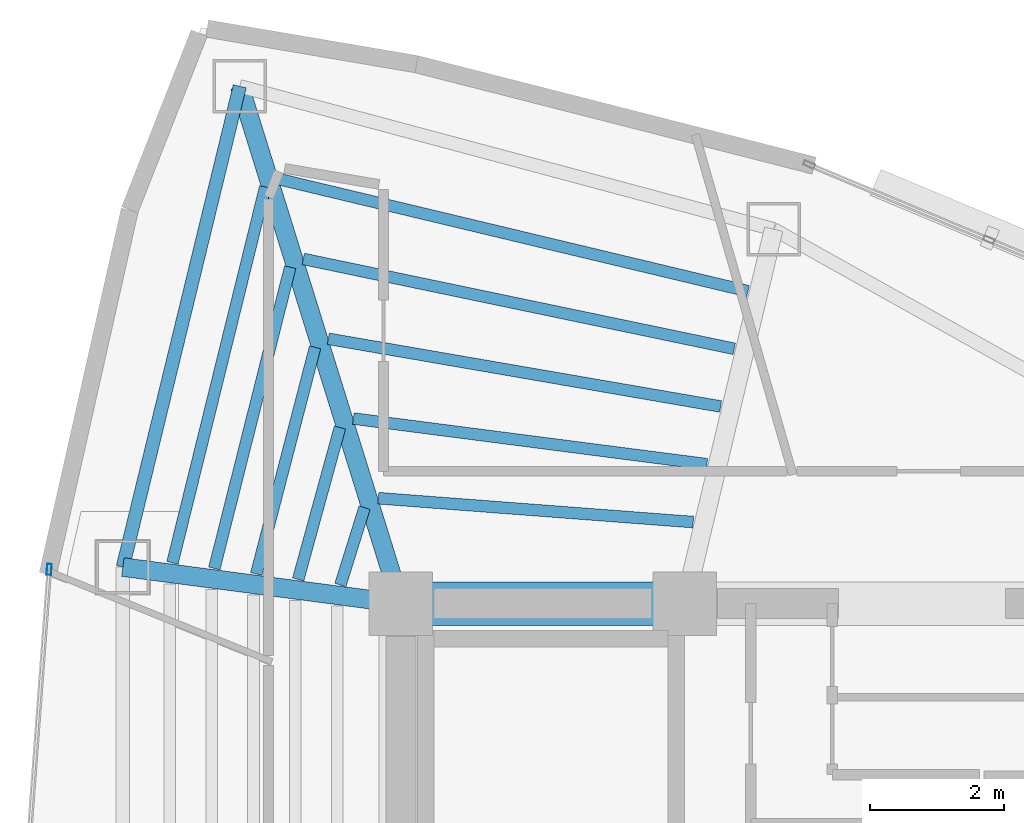
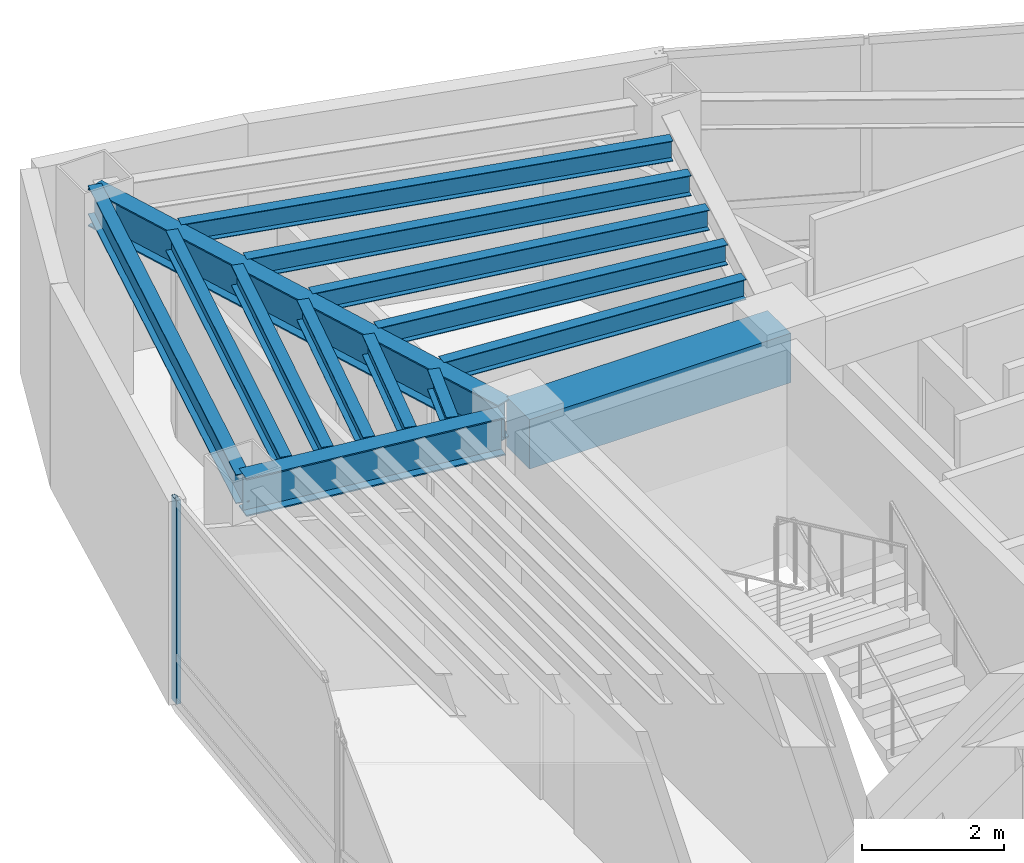
# One storey, part 7 of 15: 14 beams, 1 member, 1 element without a shape of its own.
"""IFC4 building model written with IfcOpenShell, lengths in metres."""

import ifcopenshell
import ifcopenshell.guid

model = None  # the IFC model being written
_history = None  # IfcOwnerHistory: only IFC2X3 demands one
_inside = {}  # id of a spatial element -> (the spatial element, [elements in it])
_under = {}  # id of a project, library or spatial element -> (it, [spatial elements below it])
_declared = {}  # id of a project -> (the project, [libraries it declares])
_typed = {}  # id of a type object -> (the type object, [elements of that type])
_made_of = {}  # id of a material, layer set ... -> (it, [elements and type objects made of it])


def new_model(schema):
    """Start an empty IFC model of exactly this schema.

    Asked for "IFC4X3", IfcOpenShell would pick the latest addendum, in which some entities
    have other attributes; the version numbers below select the first issue.
    IFC2X3 requires an IfcOwnerHistory on every rooted entity: one is made here for all.
    """
    global model, _history
    if schema == "IFC4X3":
        model = ifcopenshell.file(schema_version=(4, 3, 0, 0))
    else:
        model = ifcopenshell.file(schema=schema)
    _inside.clear()
    _under.clear()
    _declared.clear()
    _typed.clear()
    _made_of.clear()
    _history = None
    if model.schema == "IFC2X3":
        org = make("IfcOrganization", Name="unknown")
        user = make(
            "IfcPersonAndOrganization",
            ThePerson=make("IfcPerson", FamilyName="unknown"),
            TheOrganization=org,
        )
        app = make(
            "IfcApplication",
            ApplicationDeveloper=org,
            Version="unknown",
            ApplicationFullName="unknown",
            ApplicationIdentifier="unknown",
        )
        _history = make(
            "IfcOwnerHistory",
            OwningUser=user,
            OwningApplication=app,
            ChangeAction="ADDED",
            CreationDate=0,
        )
    return model


def make(cls, **values):
    """One entity of the class cls with the attributes given. An attribute that is None is left unset."""
    return model.create_entity(
        cls, **{name: value for name, value in values.items() if value is not None}
    )


def rooted(cls, **values):
    """An entity with a GlobalId (a new one), such as an element, a storey or a relation."""
    return make(cls, GlobalId=ifcopenshell.guid.new(), OwnerHistory=_history, **values)


def si_unit(unit_type, name, prefix=None):
    """IfcSIUnit, for example si_unit("LENGTHUNIT", "METRE", prefix="MILLI")."""
    return make("IfcSIUnit", UnitType=unit_type, Prefix=prefix, Name=name)


def assignment(units):
    """IfcUnitAssignment: the units of a project."""
    return None if units is None else make("IfcUnitAssignment", Units=units)


def point(xyz):
    """IfcCartesianPoint."""
    return None if xyz is None else make("IfcCartesianPoint", Coordinates=xyz)


def direction(xyz):
    """IfcDirection."""
    return None if xyz is None else make("IfcDirection", DirectionRatios=xyz)


def frame(location, z_axis=None, x_axis=None):
    """IfcAxis2Placement3D, a coordinate frame: its origin and axes. An axis left out is left unset."""
    return make(
        "IfcAxis2Placement3D",
        Location=point(location),
        Axis=direction(z_axis),
        RefDirection=direction(x_axis),
    )


def frame_2d(location, x_axis=None):
    """IfcAxis2Placement2D, a coordinate frame in the plane: its origin and x axis."""
    return make(
        "IfcAxis2Placement2D", Location=point(location), RefDirection=direction(x_axis)
    )


def origin():
    """The frame at (0, 0, 0) with its axes left unset."""
    return frame((0.0, 0.0, 0.0))


def origin_2d():
    """The frame at (0, 0) in the plane with its x axis left unset."""
    return frame_2d((0.0, 0.0))


def place(relative_to, where):
    """IfcLocalPlacement: puts the frame where relative to a parent placement (None: the world)."""
    return make(
        "IfcLocalPlacement", PlacementRelTo=relative_to, RelativePlacement=where
    )


def context(
    kind, dimensions, precision=None, world=None, true_north=None, identifier=None
):
    """IfcGeometricRepresentationContext, for example the 3D "Model" context."""
    return make(
        "IfcGeometricRepresentationContext",
        ContextIdentifier=identifier,
        ContextType=kind,
        CoordinateSpaceDimension=dimensions,
        Precision=precision,
        WorldCoordinateSystem=world,
        TrueNorth=true_north,
    )


def subcontext(parent, identifier, kind, view, scale=None):
    """IfcGeometricRepresentationSubContext, for example "Body" below "Model"."""
    return make(
        "IfcGeometricRepresentationSubContext",
        ContextIdentifier=identifier,
        ContextType=kind,
        ParentContext=parent,
        TargetScale=scale,
        TargetView=view,
    )


def project(units=None, contexts=None):
    """IfcProject with its units and contexts."""
    return rooted(
        "IfcProject",
        Name="project",
        RepresentationContexts=contexts,
        UnitsInContext=assignment(units),
    )


def spatial(cls, under=None, at=None, **own):
    """A site, building, storey or space (cls), placed at a placement, below another one or the project."""
    s = rooted(cls, ObjectPlacement=at, **own)
    if under is not None:
        _under.setdefault(under.id(), (under, []))[1].append(s)
    return s


def profile(cls, at=None, kind="AREA", **sizes):
    """A parametric profile (cls). Its sizes go by their IFC names, for example OverallWidth=200.0."""
    return make(cls, ProfileType=kind, Position=at, **sizes)


def rectangle(**sizes):
    """IfcRectangleProfileDef."""
    return profile("IfcRectangleProfileDef", **sizes)


def hollow_rectangle(**sizes):
    """IfcRectangleHollowProfileDef."""
    return profile("IfcRectangleHollowProfileDef", **sizes)


def i_section(**sizes):
    """IfcIShapeProfileDef."""
    return profile("IfcIShapeProfileDef", **sizes)


def extrude(swept, where, along, depth):
    """IfcExtrudedAreaSolid: the profile swept, set in the frame where, extruded along a direction by depth."""
    return make(
        "IfcExtrudedAreaSolid",
        SweptArea=swept,
        Position=where,
        ExtrudedDirection=direction(along),
        Depth=depth,
    )


def shape(context_of_items, identifier, shape_type, items):
    """IfcShapeRepresentation: the items that make up one representation, for example the "Body"."""
    return make(
        "IfcShapeRepresentation",
        ContextOfItems=context_of_items,
        RepresentationIdentifier=identifier,
        RepresentationType=shape_type,
        Items=items,
    )


def material(Name=None, Category=None):
    """IfcMaterial."""
    return make("IfcMaterial", Name=Name, Category=Category)


def layer(
    of_material, thickness, ventilated=None, Name=None, Category=None, Priority=None
):
    """IfcMaterialLayer: one layer of a wall or slab, of a material (None: an air gap)."""
    return make(
        "IfcMaterialLayer",
        Material=of_material,
        LayerThickness=thickness,
        IsVentilated=ventilated,
        Name=Name,
        Category=Category,
        Priority=Priority,
    )


def layer_set(layers, Name=None):
    """IfcMaterialLayerSet."""
    return make("IfcMaterialLayerSet", MaterialLayers=layers, LayerSetName=Name)


def material_profile(
    of_material, cross_section, Name=None, Category=None, Priority=None
):
    """IfcMaterialProfile: a cross section and its material."""
    return make(
        "IfcMaterialProfile",
        Name=Name,
        Material=of_material,
        Profile=cross_section,
        Priority=Priority,
        Category=Category,
    )


def profile_set(profiles, Name=None, composite=None):
    """IfcMaterialProfileSet."""
    return make(
        "IfcMaterialProfileSet",
        Name=Name,
        MaterialProfiles=profiles,
        CompositeProfile=composite,
    )


def made_of(thing, what):
    """Note that an element or type object is made of a material, layer set ...; save() writes the relation."""
    if what is not None:
        _made_of.setdefault(what.id(), (what, []))[1].append(thing)
    return thing


def type_object(cls, material=None, **own):
    """A type object (cls), such as IfcWallType, which elements share."""
    return made_of(rooted(cls, **own), material)


def element(
    cls,
    number,
    at=None,
    inside=None,
    cuts=None,
    type_object=None,
    material=None,
    context=None,
    identifier="Body",
    shape_type=None,
    held_by="IfcProductDefinitionShape",
    body=None,
    shapes=None,
    **own,
):
    """One element of the class cls, such as IfcWall. Its Tag is "e" and its number.

    at: its placement. inside: the storey or other place that contains it. cuts: it is an
    opening in that element (IfcRelVoidsElement). A single representation is given by context,
    identifier, shape_type and body (its items); several are given by shapes. held_by: the class
    of the entity that holds the representations. save() writes the other relations.
    """
    e = rooted(cls, Tag="e%d" % number, ObjectPlacement=at, **own)
    if body is not None:
        shapes = [shape(context, identifier, shape_type, body)]
    if shapes is not None:
        e.Representation = make(held_by, Representations=shapes)
    if inside is not None:
        _inside.setdefault(inside.id(), (inside, []))[1].append(e)
    if cuts is not None:
        rooted(
            "IfcRelVoidsElement", RelatingBuildingElement=cuts, RelatedOpeningElement=e
        )
    if type_object is not None:
        _typed.setdefault(type_object.id(), (type_object, []))[1].append(e)
    return made_of(e, material)


def aggregate(whole, parts):
    """IfcRelAggregates: a whole, such as a stair, and the parts it consists of."""
    return rooted("IfcRelAggregates", RelatingObject=whole, RelatedObjects=parts)


def save(model, path):
    """Write the relations noted so far, then the file.

    IfcRelAggregates (storeys below a building ...), IfcRelContainedInSpatialStructure (elements
    in a storey), IfcRelDefinesByType, IfcRelAssociatesMaterial and IfcRelDeclares: one each for
    every whole, place, type object, material and project.
    """
    for whole, parts in _under.values():
        aggregate(whole, parts)
    for where, things in _inside.values():
        rooted(
            "IfcRelContainedInSpatialStructure",
            RelatedElements=things,
            RelatingStructure=where,
        )
    for kind, things in _typed.values():
        rooted("IfcRelDefinesByType", RelatedObjects=things, RelatingType=kind)
    for what, things in _made_of.values():
        rooted("IfcRelAssociatesMaterial", RelatedObjects=things, RelatingMaterial=what)
    for by, libraries in _declared.values():
        rooted("IfcRelDeclares", RelatingContext=by, RelatedDefinitions=libraries)
    model.write(path)


model = new_model("IFC4")

# Units and contexts
model_context = context("Model", 3, precision=1e-05, world=origin(), true_north=direction((0.0, 1.0)))
body_context = subcontext(model_context, "Body", "Model", "MODEL_VIEW")
ifc_project = project(units=[si_unit("LENGTHUNIT", "METRE"), si_unit("AREAUNIT", "SQUARE_METRE"), si_unit("VOLUMEUNIT", "CUBIC_METRE"), si_unit("PLANEANGLEUNIT", "RADIAN"), si_unit("MASSUNIT", "GRAM", prefix="KILO")], contexts=[model_context])

# Site, building, storey
site_placement = place(None, origin())
site = spatial("IfcSite", under=ifc_project, at=site_placement, CompositionType="ELEMENT")
building_placement = place(site_placement, origin())
building = spatial("IfcBuilding", under=site, at=building_placement, Name="Menara Vayukalpa", CompositionType="ELEMENT")
storey_placement = place(building_placement, frame((0.0, 0.0, 288.06005859375)))
storey = spatial("IfcBuildingStorey", under=building, at=storey_placement, Name="L73", CompositionType="ELEMENT", Elevation=288.06005859375)

# Beams
ifc_material_1 = material(Name="Concrete C60/75", Category="concrete")
ifc_material_profile_1 = material_profile(ifc_material_1, rectangle(XDim=0.64990234375, YDim=0.85009765625, at=origin_2d()), Name="RC 650x850")
ifc_profile_set_1 = profile_set([ifc_material_profile_1], Name="Concrete C60/75")
beam_type_1 = type_object("IfcBeamType", Name="BM-CB1", PredefinedType="BEAM", material=ifc_profile_set_1)
beam_1_placement = place(storey_placement, frame((17.800048828125, 26.800048828125, 3.074951171875), z_axis=(1.0, 0.0, 0.0), x_axis=(0.0, 1.0, 0.0)))
element("IfcBeam", 1, at=beam_1_placement, inside=storey, type_object=beam_type_1, Name="L73 Core Tie Beam CBR4", PredefinedType="BEAM", context=body_context, shape_type="SweptSolid", body=[
    extrude(rectangle(XDim=0.64990234375, YDim=0.85009765625, at=origin_2d()), origin(), (0.0, 0.0, 1.0), 4.25),
])
ifc_material_2 = material(Name="Steel S355", Category="steel")
ifc_material_profile_2 = material_profile(ifc_material_2, i_section(OverallWidth=0.280029296875, OverallDepth=0.64990234375, WebThickness=0.012939453125, FlangeThickness=0.02197265625, at=origin_2d()), Name="WF 650x280x13x22")
ifc_profile_set_2 = profile_set([ifc_material_profile_2], Name="Steel S355")
beam_type_2 = type_object("IfcBeamType", Name="BM-PG6", PredefinedType="BEAM", material=ifc_profile_set_2)
beam_2_placement = place(storey_placement, frame((17.7255859375, 27.038818359375, 3.175048828125), z_axis=(-0.297213792842, 0.954810955815, 0.0), x_axis=(-0.954810955815, -0.297213792842, 0.0)))
element("IfcBeam", 2, at=beam_2_placement, inside=storey, type_object=beam_type_2, Name="L73 Primary Radial Girder RG04", PredefinedType="BEAM", context=body_context, shape_type="SweptSolid", body=[
    extrude(i_section(OverallWidth=0.280029296875, OverallDepth=0.64990234375, WebThickness=0.012939453125, FlangeThickness=0.02197265625, at=origin_2d()), origin(), (0.0, 0.0, 1.0), 7.861083984375),
])
beam_3_placement = place(storey_placement, frame((17.552001953125, 26.83251953125, 3.175048828125), z_axis=(-0.991477860763, 0.130275291662, 0.0), x_axis=(-0.130275291662, -0.991477860763, 0.0)))
element("IfcBeam", 3, at=beam_3_placement, inside=storey, type_object=beam_type_2, Name="L73 Primary Radial Girder RG05", PredefinedType="BEAM", context=body_context, shape_type="SweptSolid", body=[
    extrude(i_section(OverallWidth=0.280029296875, OverallDepth=0.64990234375, WebThickness=0.012939453125, FlangeThickness=0.02197265625, at=origin_2d()), origin(), (0.0, 0.0, 1.0), 3.94677734375),
])
ifc_material_3 = material(Name="Steel S355", Category="steel")
ifc_material_profile_3 = material_profile(ifc_material_3, i_section(OverallWidth=0.175048828125, OverallDepth=0.35009765625, WebThickness=0.007080078125, FlangeThickness=0.010986328125, at=origin_2d()), Name="WF 350x175x7x11")
ifc_profile_set_3 = profile_set([ifc_material_profile_3], Name="Steel S355")
beam_type_3 = type_object("IfcBeamType", Name="BM-SJ3", PredefinedType="JOIST", material=ifc_profile_set_3)
beam_4_placement = place(storey_placement, frame((22.177490234375, 28.0205078125, 3.324951171875), z_axis=(-0.997140447376, 0.075570683512, 0.0), x_axis=(-0.075570683512, -0.997140447376, 0.0)))
element("IfcBeam", 4, at=beam_4_placement, inside=storey, type_object=beam_type_3, Name="L73 Secondary Floor Joist SJ03-1", PredefinedType="JOIST", context=body_context, shape_type="SweptSolid", body=[
    extrude(i_section(OverallWidth=0.175048828125, OverallDepth=0.35009765625, WebThickness=0.007080078125, FlangeThickness=0.010986328125, at=origin_2d()), origin(), (0.0, 0.0, 1.0), 4.726318359375),
])
beam_5_placement = place(storey_placement, frame((22.38232421875, 28.88671875, 3.324951171875), z_axis=(-0.991761375414, 0.128099079766, 0.0), x_axis=(-0.128099079766, -0.991761375414, 0.0)))
element("IfcBeam", 5, at=beam_5_placement, inside=storey, type_object=beam_type_3, Name="L73 Secondary Floor Joist SJ03-2", PredefinedType="JOIST", context=body_context, shape_type="SweptSolid", body=[
    extrude(i_section(OverallWidth=0.175048828125, OverallDepth=0.35009765625, WebThickness=0.007080078125, FlangeThickness=0.010986328125, at=origin_2d()), origin(), (0.0, 0.0, 1.0), 5.33642578125),
])
beam_6_placement = place(storey_placement, frame((22.587158203125, 29.751220703125, 3.324951171875), z_axis=(-0.985438818134, 0.170030396443, 0.0), x_axis=(-0.170030396443, -0.985438818134, 0.0)))
element("IfcBeam", 6, at=beam_6_placement, inside=storey, type_object=beam_type_3, Name="L73 Secondary Floor Joist SJ03-3", PredefinedType="JOIST", context=body_context, shape_type="SweptSolid", body=[
    extrude(i_section(OverallWidth=0.175048828125, OverallDepth=0.35009765625, WebThickness=0.007080078125, FlangeThickness=0.010986328125, at=origin_2d()), origin(), (0.0, 0.0, 1.0), 5.958740234375),
])
beam_7_placement = place(storey_placement, frame((22.7919921875, 30.614501953125, 3.324951171875), z_axis=(-0.978940645958, 0.204145075108, 0.0), x_axis=(-0.204145075108, -0.978940645958, 0.0)))
element("IfcBeam", 7, at=beam_7_placement, inside=storey, type_object=beam_type_3, Name="L73 Secondary Floor Joist SJ03-4", PredefinedType="JOIST", context=body_context, shape_type="SweptSolid", body=[
    extrude(i_section(OverallWidth=0.175048828125, OverallDepth=0.35009765625, WebThickness=0.007080078125, FlangeThickness=0.010986328125, at=origin_2d()), origin(), (0.0, 0.0, 1.0), 6.5908203125),
])
beam_8_placement = place(storey_placement, frame((22.996826171875, 31.476806640625, 3.324951171875), z_axis=(-0.972633830791, 0.232343347656, 0.0), x_axis=(-0.232343347656, -0.972633830791, 0.0)))
element("IfcBeam", 8, at=beam_8_placement, inside=storey, type_object=beam_type_3, Name="L73 Secondary Floor Joist SJ03-5", PredefinedType="JOIST", context=body_context, shape_type="SweptSolid", body=[
    extrude(i_section(OverallWidth=0.175048828125, OverallDepth=0.35009765625, WebThickness=0.007080078125, FlangeThickness=0.010986328125, at=origin_2d()), origin(), (0.0, 0.0, 1.0), 7.229248046875),
])
beam_9_placement = place(storey_placement, frame((17.25732421875, 28.237060546875, 3.324951171875), z_axis=(-0.297954442868, -0.954580090917, 0.0), x_axis=(0.954580090917, -0.297954442868, 0.0)))
element("IfcBeam", 9, at=beam_9_placement, inside=storey, type_object=beam_type_3, Name="L73 Secondary Floor Joist SJ04-1", PredefinedType="JOIST", context=body_context, shape_type="SweptSolid", body=[
    extrude(i_section(OverallWidth=0.175048828125, OverallDepth=0.35009765625, WebThickness=0.007080078125, FlangeThickness=0.010986328125, at=origin_2d()), origin(), (0.0, 0.0, 1.0), 1.21435546875),
])
beam_10_placement = place(storey_placement, frame((16.888916015625, 29.436279296875, 3.324951171875), z_axis=(-0.264947201585, -0.96426292077, 0.0), x_axis=(0.96426292077, -0.264947201585, 0.0)))
element("IfcBeam", 10, at=beam_10_placement, inside=storey, type_object=beam_type_3, Name="L73 Secondary Floor Joist SJ04-2", PredefinedType="JOIST", context=body_context, shape_type="SweptSolid", body=[
    extrude(i_section(OverallWidth=0.175048828125, OverallDepth=0.35009765625, WebThickness=0.007080078125, FlangeThickness=0.010986328125, at=origin_2d()), origin(), (0.0, 0.0, 1.0), 2.35888671875),
])
beam_11_placement = place(storey_placement, frame((16.51708984375, 30.63671875, 3.324951171875), z_axis=(-0.251457685321, -0.967868292947, 0.0), x_axis=(0.967868292947, -0.251457685321, 0.0)))
element("IfcBeam", 11, at=beam_11_placement, inside=storey, type_object=beam_type_3, Name="L73 Secondary Floor Joist SJ04-3", PredefinedType="JOIST", context=body_context, shape_type="SweptSolid", body=[
    extrude(i_section(OverallWidth=0.175048828125, OverallDepth=0.35009765625, WebThickness=0.007080078125, FlangeThickness=0.010986328125, at=origin_2d()), origin(), (0.0, 0.0, 1.0), 3.5048828125),
])
beam_12_placement = place(storey_placement, frame((16.14453125, 31.83740234375, 3.324951171875), z_axis=(-0.244239657645, -0.969714901212, 0.0), x_axis=(0.969714901212, -0.244239657645, 0.0)))
element("IfcBeam", 12, at=beam_12_placement, inside=storey, type_object=beam_type_3, Name="L73 Secondary Floor Joist SJ04-4", PredefinedType="JOIST", context=body_context, shape_type="SweptSolid", body=[
    extrude(i_section(OverallWidth=0.175048828125, OverallDepth=0.35009765625, WebThickness=0.007080078125, FlangeThickness=0.010986328125, at=origin_2d()), origin(), (0.0, 0.0, 1.0), 4.651123046875),
])
beam_13_placement = place(storey_placement, frame((15.771240234375, 33.0380859375, 3.324951171875), z_axis=(-0.239690910211, -0.970849250688, 0.0), x_axis=(0.970849250688, -0.239690910211, 0.0)))
element("IfcBeam", 13, at=beam_13_placement, inside=storey, type_object=beam_type_3, Name="L73 Secondary Floor Joist SJ04-5", PredefinedType="JOIST", context=body_context, shape_type="SweptSolid", body=[
    extrude(i_section(OverallWidth=0.175048828125, OverallDepth=0.35009765625, WebThickness=0.007080078125, FlangeThickness=0.010986328125, at=origin_2d()), origin(), (0.0, 0.0, 1.0), 5.797607421875),
])
ifc_material_4 = material(Name="Steel S355", Category="steel")
ifc_material_profile_4 = material_profile(ifc_material_4, i_section(OverallWidth=0.199951171875, OverallDepth=0.5, WebThickness=0.010009765625, FlangeThickness=0.01611328125, at=origin_2d()), Name="WF 500x200x10x16")
ifc_profile_set_4 = profile_set([ifc_material_profile_4], Name="Steel S355")
beam_type_4 = type_object("IfcBeamType", Name="BM-SP3", PredefinedType="SPANDREL", material=ifc_profile_set_4)
beam_14_placement = place(storey_placement, frame((15.38916015625, 34.544677734375, 3.25), z_axis=(-0.236272525754, -0.97168682896, 0.0), x_axis=(0.97168682896, -0.236272525754, 0.0)))
element("IfcBeam", 14, at=beam_14_placement, inside=storey, type_object=beam_type_4, Name="L73 Perimeter Spandrel Beam SP04", PredefinedType="SPANDREL", context=body_context, shape_type="SweptSolid", body=[
    extrude(i_section(OverallWidth=0.199951171875, OverallDepth=0.5, WebThickness=0.010009765625, FlangeThickness=0.01611328125, at=origin_2d()), origin(), (0.0, 0.0, 1.0), 7.40771484375),
])

# Curtain wall, member
ifc_material_5 = material(Name="Anodised Terracotta Aluminium Alloy 6063-T6", Category="masonry")
ifc_layer = layer(ifc_material_5, 0.1650390625)
ifc_layer_set = layer_set([ifc_layer], Name="Anodised Terracotta Aluminium Alloy 6063-T6")
curtain_wall_type = type_object("IfcCurtainWallType", Name="CW-CW6", PredefinedType="USERDEFINED", material=ifc_layer_set)
curtain_wall_placement = place(storey_placement, origin())
curtain_wall = element("IfcCurtainWall", 15, at=curtain_wall_placement, inside=storey, type_object=curtain_wall_type, Name="L73 Observation and Executive Curtain Wall CW6 10", ObjectType="UNITISED", PredefinedType="USERDEFINED")
ifc_material_6 = material(Name="Anodised Terracotta Aluminium Alloy 6063-T6", Category="masonry")
ifc_material_profile_5 = material_profile(ifc_material_6, hollow_rectangle(XDim=0.070068359375, YDim=0.1650390625, WallThickness=0.00390625, at=origin_2d()), Name="ALU 70x165x4")
ifc_profile_set_5 = profile_set([ifc_material_profile_5], Name="Anodised Terracotta Aluminium Alloy 6063-T6")
member_type = type_object("IfcMemberType", Name="CWM-CW6", PredefinedType="MULLION", material=ifc_profile_set_5)
member_placement = place(storey_placement, frame((12.536376953125, 27.311767578125, 0.0), z_axis=(0.0, 0.0, 1.0), x_axis=(0.997199344663, -0.074789484574, 0.0)))
member = element("IfcMember", 16, at=member_placement, type_object=member_type, Name="CW6 mullion 1", PredefinedType="MULLION", context=body_context, shape_type="SweptSolid", body=[
    extrude(hollow_rectangle(XDim=0.070068359375, YDim=0.1650390625, WallThickness=0.00390625, at=origin_2d()), origin(), (0.0, 0.0, 1.0), 3.5),
])
aggregate(curtain_wall, [member])

save(model, "model.ifc")
